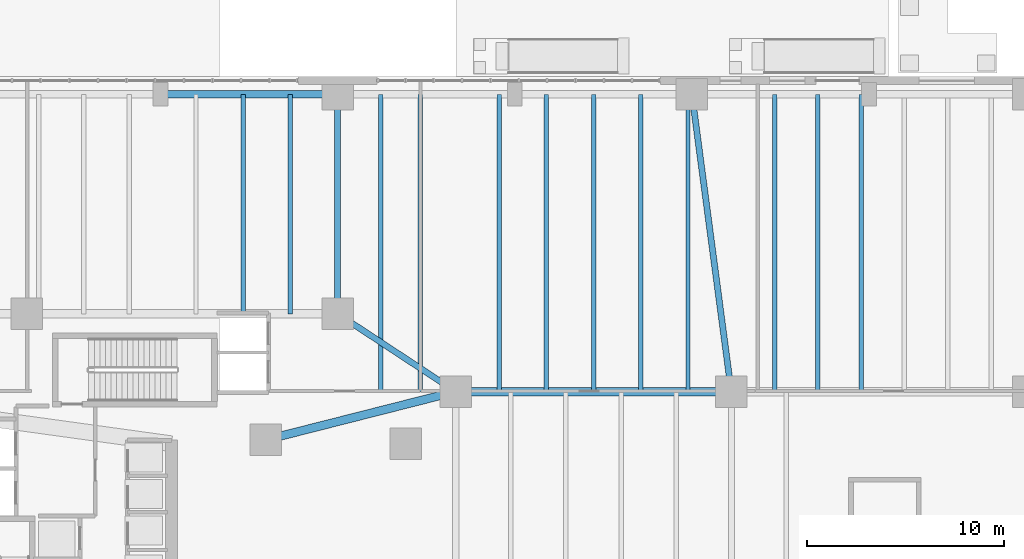
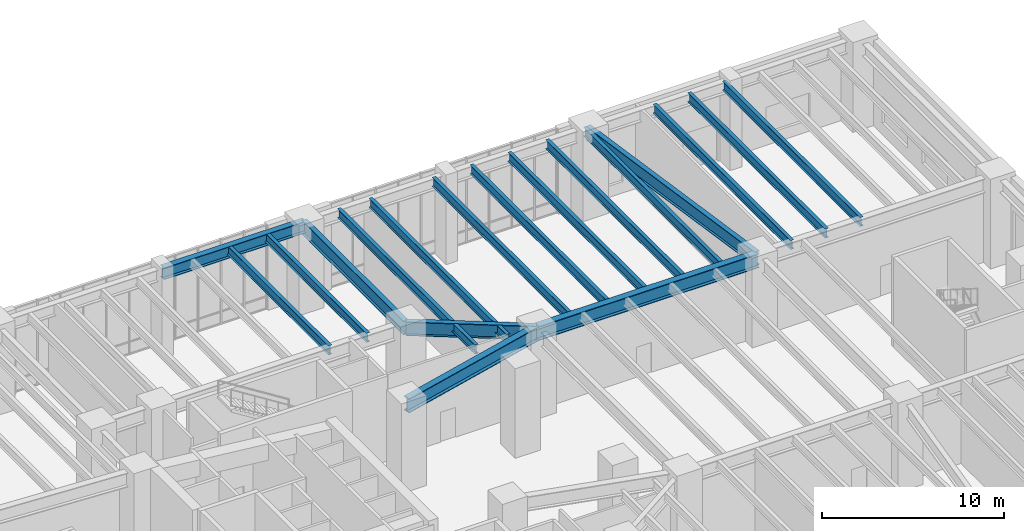
# One storey, part 12 of 28: 18 beams.
"""IFC4 building model written with IfcOpenShell, lengths in metres."""

from ifc_helpers import new_model, si_unit, direction, frame, origin, origin_2d, place, context, subcontext, project, spatial, i_section, extrude, material, material_profile, profile_set, type_object, element, save


model = new_model("IFC4")

# Units and contexts
model_context = context("Model", 3, precision=1e-05, world=origin(), true_north=direction((0.0, 1.0)))
body_context = subcontext(model_context, "Body", "Model", "MODEL_VIEW")
ifc_project = project(units=[si_unit("LENGTHUNIT", "METRE"), si_unit("AREAUNIT", "SQUARE_METRE"), si_unit("VOLUMEUNIT", "CUBIC_METRE"), si_unit("PLANEANGLEUNIT", "RADIAN"), si_unit("MASSUNIT", "GRAM", prefix="KILO"), si_unit("THERMODYNAMICTEMPERATUREUNIT", "KELVIN"), si_unit("POWERUNIT", "WATT")], contexts=[model_context])

# Site, building, storey
site_placement = place(None, origin())
site = spatial("IfcSite", under=ifc_project, at=site_placement, CompositionType="ELEMENT")
building_placement = place(site_placement, origin())
building = spatial("IfcBuilding", under=site, at=building_placement, Name="Skarre Station Tower", CompositionType="ELEMENT")
storey_placement = place(building_placement, origin())
storey = spatial("IfcBuildingStorey", under=building, at=storey_placement, Name="L01", CompositionType="ELEMENT", Elevation=0.0)

# Beams
ifc_material = material(Name="Steel ASTM A992 Grade 50", Category="steel")
ifc_material_profile_1 = material_profile(ifc_material, i_section(OverallWidth=0.30810546875, OverallDepth=0.927001953125, WebThickness=0.01904296875, FlangeThickness=0.031982421875, at=origin_2d()), Name="Steel ASTM A992 Grade 50")
ifc_profile_set_1 = profile_set([ifc_material_profile_1], Name="Steel ASTM A992 Grade 50")
beam_type_1 = type_object("IfcBeamType", Name="Steel Beam W36X194", PredefinedType="BEAM", material=ifc_profile_set_1)
beam_1_placement = place(storey_placement, frame((42.0, 32.0, 5.22705078125), z_axis=(-0.835251957938, 0.549867408345, 0.0), x_axis=(-0.549867408345, -0.835251957938, 0.0)))
element("IfcBeam", 1, at=beam_1_placement, inside=storey, type_object=beam_type_1, Name="L01 Concourse Transverse Girder NS5B", PredefinedType="BEAM", context=body_context, shape_type="SweptSolid", body=[
    extrude(i_section(OverallWidth=0.30810546875, OverallDepth=0.927001953125, WebThickness=0.01904296875, FlangeThickness=0.031982421875, at=origin_2d()), origin(), (0.0, 0.0, 1.0), 7.183349609375),
])
beam_2_placement = place(storey_placement, frame((36.0, 35.949951171875, 5.22705078125), z_axis=(0.0, 1.0, 0.0), x_axis=(-1.0, 0.0, 0.0)))
element("IfcBeam", 2, at=beam_2_placement, inside=storey, type_object=beam_type_1, Name="L01 Concourse Transverse Girder NS5", PredefinedType="BEAM", context=body_context, shape_type="SweptSolid", body=[
    extrude(i_section(OverallWidth=0.30810546875, OverallDepth=0.927001953125, WebThickness=0.01904296875, FlangeThickness=0.031982421875, at=origin_2d()), origin(), (0.0, 0.0, 1.0), 11.150146484375),
])
beam_3_placement = place(storey_placement, frame((56.0, 32.0, 5.22705078125), z_axis=(-0.131302768537, 0.991342313721, 0.0), x_axis=(-0.991342313721, -0.131302768537, 0.0)))
element("IfcBeam", 3, at=beam_3_placement, inside=storey, type_object=beam_type_1, Name="L01 Concourse Transverse Girder NS8", PredefinedType="BEAM", context=body_context, shape_type="SweptSolid", body=[
    extrude(i_section(OverallWidth=0.30810546875, OverallDepth=0.927001953125, WebThickness=0.01904296875, FlangeThickness=0.031982421875, at=origin_2d()), origin(), (0.0, 0.0, 1.0), 15.23193359375),
])
ifc_material_profile_2 = material_profile(ifc_material, i_section(OverallWidth=0.423095703125, OverallDepth=0.947998046875, WebThickness=0.02392578125, FlangeThickness=0.04296875, at=origin_2d()), Name="Steel ASTM A992 Grade 50")
ifc_profile_set_2 = profile_set([ifc_material_profile_2], Name="Steel ASTM A992 Grade 50")
beam_type_2 = type_object("IfcBeamType", Name="Steel Beam W36X302", PredefinedType="BEAM", material=ifc_profile_set_2)
beam_4_placement = place(storey_placement, frame((32.35009765625, 29.550048828125, 5.216064453125), z_axis=(0.969250360418, 0.246076692982, 0.0), x_axis=(-0.246076692982, 0.969250360418, 0.0)))
element("IfcBeam", 4, at=beam_4_placement, inside=storey, type_object=beam_type_2, Name="L01 Concourse Primary Girder EW6", PredefinedType="BEAM", context=body_context, shape_type="SweptSolid", body=[
    extrude(i_section(OverallWidth=0.423095703125, OverallDepth=0.947998046875, WebThickness=0.02392578125, FlangeThickness=0.04296875, at=origin_2d()), origin(), (0.0, 0.0, 1.0), 9.9560546875),
])
beam_5_placement = place(storey_placement, frame((42.0, 32.0, 5.216064453125), z_axis=(1.0, 0.0, 0.0), x_axis=(0.0, 1.0, 0.0)))
element("IfcBeam", 5, at=beam_5_placement, inside=storey, type_object=beam_type_2, Name="L01 Concourse Primary Girder EW7", PredefinedType="BEAM", context=body_context, shape_type="SweptSolid", body=[
    extrude(i_section(OverallWidth=0.423095703125, OverallDepth=0.947998046875, WebThickness=0.02392578125, FlangeThickness=0.04296875, at=origin_2d()), origin(), (0.0, 0.0, 1.0), 14.0),
])
ifc_material_profile_3 = material_profile(ifc_material, i_section(OverallWidth=0.22802734375, OverallDepth=0.60791015625, WebThickness=0.010986328125, FlangeThickness=0.01708984375, at=origin_2d()), Name="Steel ASTM A992 Grade 50")
ifc_profile_set_3 = profile_set([ifc_material_profile_3], Name="Steel ASTM A992 Grade 50")
beam_type_3 = type_object("IfcBeamType", Name="Steel Joist W24X76", PredefinedType="JOIST", material=ifc_profile_set_3)
for number, where, z_axis, x_axis, name in (
    (6, (31.199951171875, 35.949951171875, 5.385986328125), (0.0, 1.0, 0.0), (-1.0, 0.0, 0.0), "L01 North Bay Joist 12"),
    (7, (33.60009765625, 35.949951171875, 5.385986328125), (0.0, 1.0, 0.0), (-1.0, 0.0, 0.0), "L01 North Bay Joist 13"),
):
    element("IfcBeam", number, at=place(storey_placement, frame(where, z_axis=z_axis, x_axis=x_axis)), inside=storey, type_object=beam_type_3, Name=name, PredefinedType="JOIST", context=body_context, shape_type="SweptSolid", body=[
        extrude(i_section(OverallWidth=0.22802734375, OverallDepth=0.60791015625, WebThickness=0.010986328125, FlangeThickness=0.01708984375, at=origin_2d()), origin(), (0.0, 0.0, 1.0), 11.150146484375),
    ])
for number, where, z_axis, x_axis, name in (
    (8, (38.199951171875, 32.0, 5.385986328125), (0.0, 1.0, 0.0), (-1.0, 0.0, 0.0), "L01 North Bay Joist 14"),
    (9, (40.199951171875, 32.0, 5.385986328125), (0.0, 1.0, 0.0), (-1.0, 0.0, 0.0), "L01 North Bay Joist 15"),
    (10, (44.199951171875, 32.0, 5.385986328125), (0.0, 1.0, 0.0), (-1.0, 0.0, 0.0), "L01 North Bay Joist 16"),
    (11, (46.60009765625, 32.0, 5.385986328125), (0.0, 1.0, 0.0), (-1.0, 0.0, 0.0), "L01 North Bay Joist 17"),
    (12, (49.0, 32.0, 5.385986328125), (0.0, 1.0, 0.0), (-1.0, 0.0, 0.0), "L01 North Bay Joist 18"),
    (13, (51.39990234375, 32.0, 5.385986328125), (0.0, 1.0, 0.0), (-1.0, 0.0, 0.0), "L01 North Bay Joist 19"),
    (14, (53.800048828125, 32.0, 5.385986328125), (0.0, 1.0, 0.0), (-1.0, 0.0, 0.0), "L01 North Bay Joist 20"),
    (15, (58.199951171875, 32.0, 5.385986328125), (0.0, 1.0, 0.0), (-1.0, 0.0, 0.0), "L01 North Bay Joist 21"),
    (16, (60.39990234375, 32.0, 5.385986328125), (0.0, 1.0, 0.0), (-1.0, 0.0, 0.0), "L01 North Bay Joist 22"),
    (17, (62.60009765625, 32.0, 5.385986328125), (0.0, 1.0, 0.0), (-1.0, 0.0, 0.0), "L01 North Bay Joist 23"),
):
    element("IfcBeam", number, at=place(storey_placement, frame(where, z_axis=z_axis, x_axis=x_axis)), inside=storey, type_object=beam_type_3, Name=name, PredefinedType="JOIST", context=body_context, shape_type="SweptSolid", body=[
        extrude(i_section(OverallWidth=0.22802734375, OverallDepth=0.60791015625, WebThickness=0.010986328125, FlangeThickness=0.01708984375, at=origin_2d()), origin(), (0.0, 0.0, 1.0), 15.10009765625),
    ])
ifc_material_profile_4 = material_profile(ifc_material, i_section(OverallWidth=0.384033203125, OverallDepth=0.785888671875, WebThickness=0.02001953125, FlangeThickness=0.032958984375, at=origin_2d()), Name="Steel ASTM A992 Grade 50")
ifc_profile_set_4 = profile_set([ifc_material_profile_4], Name="Steel ASTM A992 Grade 50")
beam_type_4 = type_object("IfcBeamType", Name="Steel Spandrel W30X211", PredefinedType="SPANDREL", material=ifc_profile_set_4)
beam_6_placement = place(storey_placement, frame((27.0, 47.10009765625, 5.297119140625), z_axis=(1.0, 0.0, 0.0), x_axis=(0.0, 1.0, 0.0)))
element("IfcBeam", 18, at=beam_6_placement, inside=storey, type_object=beam_type_4, Name="L01 North Podium Spandrel 4", PredefinedType="SPANDREL", context=body_context, shape_type="SweptSolid", body=[
    extrude(i_section(OverallWidth=0.384033203125, OverallDepth=0.785888671875, WebThickness=0.02001953125, FlangeThickness=0.032958984375, at=origin_2d()), origin(), (0.0, 0.0, 1.0), 9.0),
])

save(model, "model.ifc")
